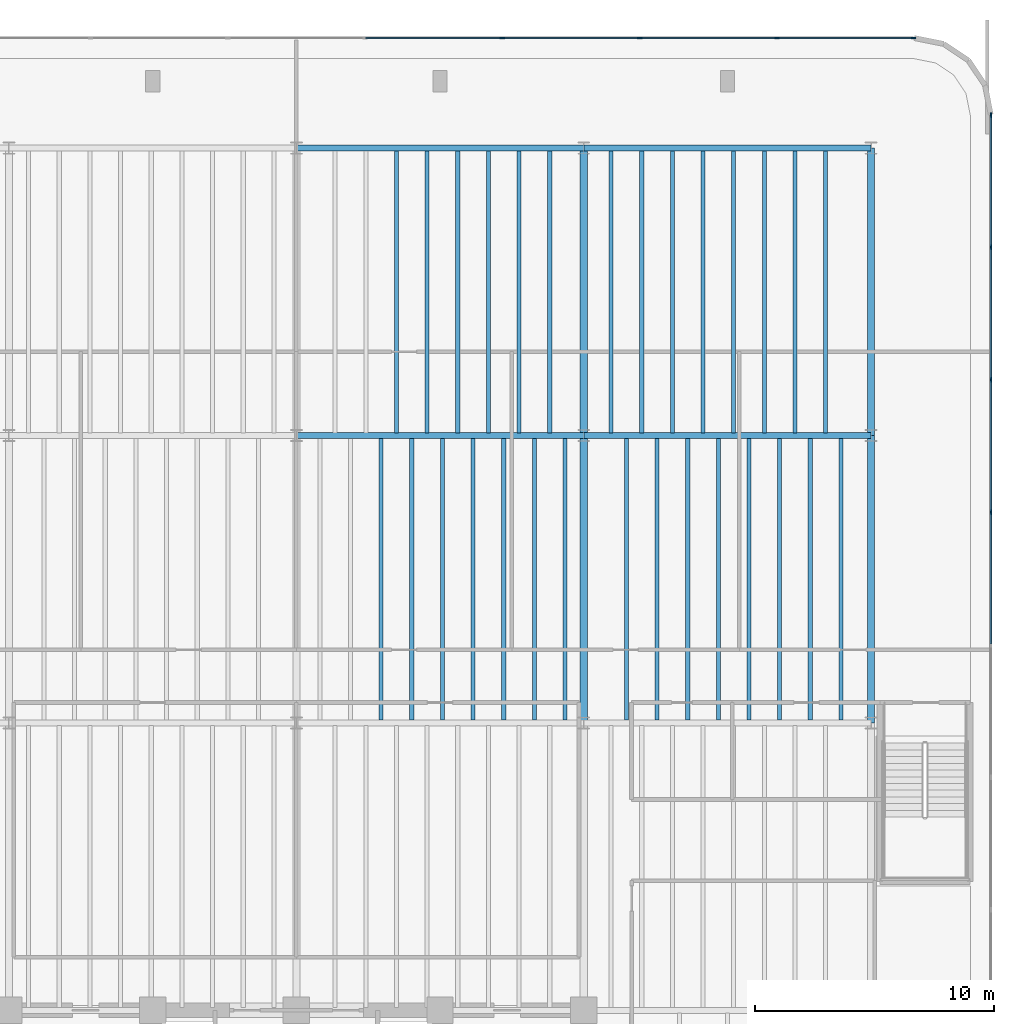
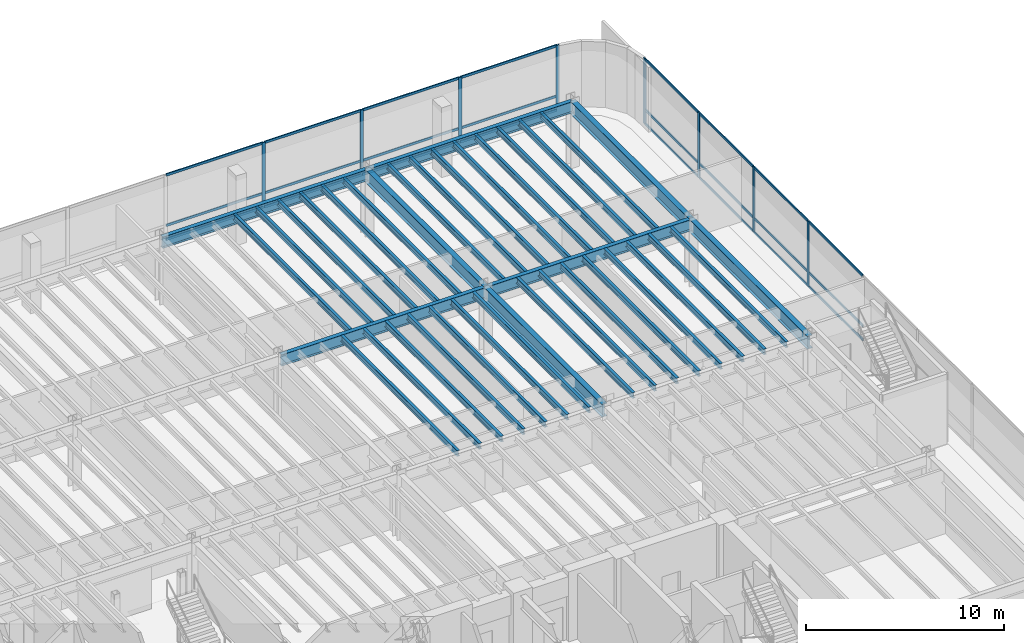
# One storey, part 9 of 18: 37 beams, 32 members, 2 elements without a shape of their own.
"""IFC4 building model written with IfcOpenShell, lengths in metres."""

from ifc_helpers import new_model, si_unit, direction, frame, origin, origin_2d, place, context, subcontext, project, spatial, rectangle, i_section, extrude, source, transform, mapped, material, layer, layer_set, material_profile, profile_set, type_object, element, aggregate, save


model = new_model("IFC4")

# Units and contexts
model_context = context("Model", 3, precision=1e-05, world=origin(), true_north=direction((0.0, 1.0)))
body_context = subcontext(model_context, "Body", "Model", "MODEL_VIEW")
ifc_project = project(units=[si_unit("LENGTHUNIT", "METRE"), si_unit("AREAUNIT", "SQUARE_METRE"), si_unit("VOLUMEUNIT", "CUBIC_METRE"), si_unit("PLANEANGLEUNIT", "RADIAN"), si_unit("MASSUNIT", "GRAM", prefix="KILO")], contexts=[model_context])

# Site, building, storey
site_placement = place(None, origin())
site = spatial("IfcSite", under=ifc_project, at=site_placement, CompositionType="ELEMENT")
building_placement = place(site_placement, origin())
building = spatial("IfcBuilding", under=site, at=building_placement, Name="Brelvock Crest Care Tower", CompositionType="ELEMENT")
storey_placement = place(building_placement, frame((0.0, 0.0, 9.719970703125)))
storey = spatial("IfcBuildingStorey", under=building, at=storey_placement, Name="L02", CompositionType="ELEMENT", Elevation=9.719970703125)

# Beams
ifc_material_1 = material(Name="Steel Grade 350", Category="steel")
ifc_material_profile_1 = material_profile(ifc_material_1, i_section(OverallWidth=0.300048828125, OverallDepth=0.800048828125, WebThickness=0.013916015625, FlangeThickness=0.02197265625, at=origin_2d()), Name="800WB192")
ifc_profile_set_1 = profile_set([ifc_material_profile_1], Name="Steel Grade 350")
beam_type_1 = type_object("IfcBeamType", Name="BM-G5", PredefinedType="BEAM", material=ifc_profile_set_1)
shared_shape_1 = source(origin(), body_context, "Body", "SweptSolid", [
    extrude(i_section(OverallWidth=0.300048828125, OverallDepth=0.800048828125, WebThickness=0.013916015625, FlangeThickness=0.02197265625, at=origin_2d()), origin(), (0.0, 0.0, 1.0), 12.0),
])
for number, where, z_axis, x_axis, name in (
    (1, (48.0, 30.0, 3.64013671875), (0.0, 1.0, 0.0), (-1.0, 0.0, 0.0), "BM-PODY-L02-48-30"),
    (2, (48.0, 42.0, 3.64013671875), (0.0, 1.0, 0.0), (-1.0, 0.0, 0.0), "BM-PODY-L02-48-42"),
    (3, (60.0, 30.0, 3.64013671875), (0.0, 1.0, 0.0), (-1.0, 0.0, 0.0), "BM-PODY-L02-60-30"),
    (4, (60.0, 42.0, 3.64013671875), (0.0, 1.0, 0.0), (-1.0, 0.0, 0.0), "BM-PODY-L02-60-42"),
):
    element("IfcBeam", number, at=place(storey_placement, frame(where, z_axis=z_axis, x_axis=x_axis)), inside=storey, type_object=beam_type_1, Name=name, PredefinedType="BEAM", context=body_context, shape_type="MappedRepresentation", body=[
        mapped(shared_shape_1, transform((0.0, 0.0, 0.0), x_axis=(1.0, 0.0, 0.0), y_axis=(0.0, 1.0, 0.0), z_axis=(0.0, 0.0, 1.0), scale=1.0)),
    ])
ifc_material_profile_2 = material_profile(ifc_material_1, i_section(OverallWidth=0.172119140625, OverallDepth=0.35888671875, WebThickness=0.008056640625, FlangeThickness=0.012939453125, FilletRadius=0.011474609375, at=origin_2d()), Name="360UB56.7")
ifc_profile_set_2 = profile_set([ifc_material_profile_2], Name="Steel Grade 350")
beam_type_2 = type_object("IfcBeamType", Name="BM-J1", PredefinedType="JOIST", material=ifc_profile_set_2)
shared_shape_2 = source(origin(), body_context, "Body", "SweptSolid", [
    extrude(i_section(OverallWidth=0.172119140625, OverallDepth=0.35888671875, WebThickness=0.008056640625, FlangeThickness=0.012939453125, FilletRadius=0.011474609375, at=origin_2d()), origin(), (0.0, 0.0, 1.0), 11.77001953125),
])
for number, where, z_axis, x_axis, name in (
    (5, (39.5400390625, 30.114990234375, 3.860595703125), (0.0, 1.0, 0.0), (-1.0, 0.0, 0.0), "BM-PODJ-L02-3954-30"),
    (6, (40.820068359375, 30.114990234375, 3.860595703125), (0.0, 1.0, 0.0), (-1.0, 0.0, 0.0), "BM-PODJ-L02-4082-30"),
    (7, (40.179931640625, 42.114990234375, 3.860595703125), (0.0, 1.0, 0.0), (-1.0, 0.0, 0.0), "BM-PODJ-L02-4018-42"),
    (8, (42.10009765625, 30.114990234375, 3.860595703125), (0.0, 1.0, 0.0), (-1.0, 0.0, 0.0), "BM-PODJ-L02-4210-30"),
    (9, (41.4599609375, 42.114990234375, 3.860595703125), (0.0, 1.0, 0.0), (-1.0, 0.0, 0.0), "BM-PODJ-L02-4146-42"),
    (10, (43.3798828125, 30.114990234375, 3.860595703125), (0.0, 1.0, 0.0), (-1.0, 0.0, 0.0), "BM-PODJ-L02-4338-30"),
    (11, (42.739990234375, 42.114990234375, 3.860595703125), (0.0, 1.0, 0.0), (-1.0, 0.0, 0.0), "BM-PODJ-L02-4274-42"),
    (12, (44.659912109375, 30.114990234375, 3.860595703125), (0.0, 1.0, 0.0), (-1.0, 0.0, 0.0), "BM-PODJ-L02-4466-30"),
    (13, (44.02001953125, 42.114990234375, 3.860595703125), (0.0, 1.0, 0.0), (-1.0, 0.0, 0.0), "BM-PODJ-L02-4402-42"),
    (14, (45.93994140625, 30.114990234375, 3.860595703125), (0.0, 1.0, 0.0), (-1.0, 0.0, 0.0), "BM-PODJ-L02-4594-30"),
    (15, (45.300048828125, 42.114990234375, 3.860595703125), (0.0, 1.0, 0.0), (-1.0, 0.0, 0.0), "BM-PODJ-L02-4530-42"),
    (16, (47.219970703125, 30.114990234375, 3.860595703125), (0.0, 1.0, 0.0), (-1.0, 0.0, 0.0), "BM-PODJ-L02-4722-30"),
    (17, (46.580078125, 42.114990234375, 3.860595703125), (0.0, 1.0, 0.0), (-1.0, 0.0, 0.0), "BM-PODJ-L02-4658-42"),
    (18, (49.780029296875, 30.114990234375, 3.860595703125), (0.0, 1.0, 0.0), (-1.0, 0.0, 0.0), "BM-PODJ-L02-4978-30"),
    (19, (49.139892578125, 42.114990234375, 3.860595703125), (0.0, 1.0, 0.0), (-1.0, 0.0, 0.0), "BM-PODJ-L02-4914-42"),
    (20, (51.06005859375, 30.114990234375, 3.860595703125), (0.0, 1.0, 0.0), (-1.0, 0.0, 0.0), "BM-PODJ-L02-5106-30"),
    (21, (50.419921875, 42.114990234375, 3.860595703125), (0.0, 1.0, 0.0), (-1.0, 0.0, 0.0), "BM-PODJ-L02-5042-42"),
    (22, (52.340087890625, 30.114990234375, 3.860595703125), (0.0, 1.0, 0.0), (-1.0, 0.0, 0.0), "BM-PODJ-L02-5234-30"),
    (23, (51.699951171875, 42.114990234375, 3.860595703125), (0.0, 1.0, 0.0), (-1.0, 0.0, 0.0), "BM-PODJ-L02-5170-42"),
    (24, (53.6201171875, 30.114990234375, 3.860595703125), (0.0, 1.0, 0.0), (-1.0, 0.0, 0.0), "BM-PODJ-L02-5362-30"),
    (25, (52.97998046875, 42.114990234375, 3.860595703125), (0.0, 1.0, 0.0), (-1.0, 0.0, 0.0), "BM-PODJ-L02-5298-42"),
    (26, (54.89990234375, 30.114990234375, 3.860595703125), (0.0, 1.0, 0.0), (-1.0, 0.0, 0.0), "BM-PODJ-L02-5490-30"),
    (27, (54.260009765625, 42.114990234375, 3.860595703125), (0.0, 1.0, 0.0), (-1.0, 0.0, 0.0), "BM-PODJ-L02-5426-42"),
    (28, (56.179931640625, 30.114990234375, 3.860595703125), (0.0, 1.0, 0.0), (-1.0, 0.0, 0.0), "BM-PODJ-L02-5618-30"),
    (29, (55.5400390625, 42.114990234375, 3.860595703125), (0.0, 1.0, 0.0), (-1.0, 0.0, 0.0), "BM-PODJ-L02-5554-42"),
    (30, (57.4599609375, 30.114990234375, 3.860595703125), (0.0, 1.0, 0.0), (-1.0, 0.0, 0.0), "BM-PODJ-L02-5746-30"),
    (31, (56.820068359375, 42.114990234375, 3.860595703125), (0.0, 1.0, 0.0), (-1.0, 0.0, 0.0), "BM-PODJ-L02-5682-42"),
    (32, (58.739990234375, 30.114990234375, 3.860595703125), (0.0, 1.0, 0.0), (-1.0, 0.0, 0.0), "BM-PODJ-L02-5874-30"),
    (33, (58.10009765625, 42.114990234375, 3.860595703125), (0.0, 1.0, 0.0), (-1.0, 0.0, 0.0), "BM-PODJ-L02-5810-42"),
):
    element("IfcBeam", number, at=place(storey_placement, frame(where, z_axis=z_axis, x_axis=x_axis)), inside=storey, type_object=beam_type_2, Name=name, PredefinedType="JOIST", context=body_context, shape_type="MappedRepresentation", body=[
        mapped(shared_shape_2, transform((0.0, 0.0, 0.0), x_axis=(1.0, 0.0, 0.0), y_axis=(0.0, 1.0, 0.0), z_axis=(0.0, 0.0, 1.0), scale=1.0)),
    ])
ifc_material_profile_3 = material_profile(ifc_material_1, i_section(OverallWidth=0.25, OverallDepth=0.699951171875, WebThickness=0.011962890625, FlangeThickness=0.02001953125, at=origin_2d()), Name="700WB150")
ifc_profile_set_3 = profile_set([ifc_material_profile_3], Name="Steel Grade 350")
beam_type_3 = type_object("IfcBeamType", Name="BM-G4", PredefinedType="BEAM", material=ifc_profile_set_3)
shared_shape_3 = source(origin(), body_context, "Body", "SweptSolid", [
    extrude(i_section(OverallWidth=0.25, OverallDepth=0.699951171875, WebThickness=0.011962890625, FlangeThickness=0.02001953125, at=origin_2d()), origin(), (0.0, 0.0, 1.0), 12.0),
])
for number, where, z_axis, x_axis, name in (
    (34, (36.0, 42.0, 3.68994140625), (1.0, 0.0, 0.0), (0.0, 1.0, 0.0), "BM-PODX-L02-42-36"),
    (35, (48.0, 42.0, 3.68994140625), (1.0, 0.0, 0.0), (0.0, 1.0, 0.0), "BM-PODX-L02-42-48"),
    (36, (36.0, 54.0, 3.68994140625), (1.0, 0.0, 0.0), (0.0, 1.0, 0.0), "BM-PODX-L02-54-36"),
    (37, (48.0, 54.0, 3.68994140625), (1.0, 0.0, 0.0), (0.0, 1.0, 0.0), "BM-PODX-L02-54-48"),
):
    element("IfcBeam", number, at=place(storey_placement, frame(where, z_axis=z_axis, x_axis=x_axis)), inside=storey, type_object=beam_type_3, Name=name, PredefinedType="BEAM", context=body_context, shape_type="MappedRepresentation", body=[
        mapped(shared_shape_3, transform((0.0, 0.0, 0.0), x_axis=(1.0, 0.0, 0.0), y_axis=(0.0, 1.0, 0.0), z_axis=(0.0, 0.0, 1.0), scale=1.0)),
    ])

# Curtain wall, members
ifc_material_2 = material(Name="Dark Glass Double Glazed Low-E", Category="glass")
ifc_layer = layer(ifc_material_2, 0.179931640625, Name="CWS-1")
ifc_layer_set = layer_set([ifc_layer], Name="Dark Glass Double Glazed Low-E")
curtain_wall_type = type_object("IfcCurtainWallType", Name="CWS-1", PredefinedType="NOTDEFINED", material=ifc_layer_set)
curtain_wall_1_placement = place(storey_placement, origin())
curtain_wall_1 = element("IfcCurtainWall", 38, at=curtain_wall_1_placement, inside=storey, type_object=curtain_wall_type, Name="L02 Curtain Wall E09", PredefinedType="NOTDEFINED")
ifc_material_3 = material(Name="Aluminium 6063-T6", Category="aluminium")
ifc_material_profile_4 = material_profile(ifc_material_3, rectangle(XDim=0.06494140625, YDim=0.199951171875, at=origin_2d()), Name="ALU65x200")
ifc_profile_set_4 = profile_set([ifc_material_profile_4], Name="Aluminium 6063-T6")
member_type_1 = type_object("IfcMemberType", Name="CWM-1", PredefinedType="MULLION", material=ifc_profile_set_4)
shared_shape_4 = source(origin(), body_context, "Body", "SweptSolid", [
    extrude(rectangle(XDim=0.06494140625, YDim=0.199951171875, at=origin_2d()), origin(), (0.0, 0.0, 1.0), 4.0400390625),
])
member_1_placement = place(storey_placement, frame((44.60009765625, 58.60009765625, 0.0), z_axis=(0.0, 0.0, 1.0), x_axis=(0.0, 1.0, 0.0)))
member_1 = element("IfcMember", 39, at=member_1_placement, type_object=member_type_1, Name="CW-1 mullion 7", PredefinedType="MULLION", context=body_context, shape_type="MappedRepresentation", body=[
    mapped(shared_shape_4, transform((0.0, 0.0, 0.0), x_axis=(1.0, 0.0, 0.0), y_axis=(0.0, 1.0, 0.0), z_axis=(0.0, 0.0, 1.0), scale=1.0)),
])
member_2_placement = place(storey_placement, frame((50.333251953125, 58.60009765625, 0.0), z_axis=(0.0, 0.0, 1.0), x_axis=(0.0, 1.0, 0.0)))
member_2 = element("IfcMember", 40, at=member_2_placement, type_object=member_type_1, Name="CW-1 mullion 8", PredefinedType="MULLION", context=body_context, shape_type="MappedRepresentation", body=[
    mapped(shared_shape_4, transform((0.0, 0.0, 0.0), x_axis=(1.0, 0.0, 0.0), y_axis=(0.0, 1.0, 0.0), z_axis=(0.0, 0.0, 1.0), scale=1.0)),
])
member_3_placement = place(storey_placement, frame((56.066650390625, 58.60009765625, 0.0), z_axis=(0.0, 0.0, 1.0), x_axis=(0.0, 1.0, 0.0)))
member_3 = element("IfcMember", 41, at=member_3_placement, type_object=member_type_1, Name="CW-1 mullion 9", PredefinedType="MULLION", context=body_context, shape_type="MappedRepresentation", body=[
    mapped(shared_shape_4, transform((0.0, 0.0, 0.0), x_axis=(1.0, 0.0, 0.0), y_axis=(0.0, 1.0, 0.0), z_axis=(0.0, 0.0, 1.0), scale=1.0)),
])
member_4_placement = place(storey_placement, frame((61.767578125, 58.60009765625, 0.0), z_axis=(0.0, 0.0, 1.0), x_axis=(0.0, 1.0, 0.0)))
member_4 = element("IfcMember", 42, at=member_4_placement, type_object=member_type_1, Name="CW-1 mullion 10", PredefinedType="MULLION", context=body_context, shape_type="MappedRepresentation", body=[
    mapped(shared_shape_4, transform((0.0, 0.0, 0.0), x_axis=(1.0, 0.0, 0.0), y_axis=(0.0, 1.0, 0.0), z_axis=(0.0, 0.0, 1.0), scale=1.0)),
])

curtain_wall_2_placement = place(storey_placement, origin())
curtain_wall_2 = element("IfcCurtainWall", 43, at=curtain_wall_2_placement, inside=storey, type_object=curtain_wall_type, Name="L02 Curtain Wall E14", PredefinedType="NOTDEFINED")
member_5_placement = place(storey_placement, frame((65.0, 55.367431640625, 0.0), z_axis=(0.0, 0.0, 1.0), x_axis=(1.0, 0.0, 0.0)))
member_5 = element("IfcMember", 44, at=member_5_placement, type_object=member_type_1, Name="CW-1 mullion 1", PredefinedType="MULLION", context=body_context, shape_type="MappedRepresentation", body=[
    mapped(shared_shape_4, transform((0.0, 0.0, 0.0), x_axis=(1.0, 0.0, 0.0), y_axis=(0.0, 1.0, 0.0), z_axis=(0.0, 0.0, 1.0), scale=1.0)),
])
member_6_placement = place(storey_placement, frame((65.0, 49.86669921875, 0.0), z_axis=(0.0, 0.0, 1.0), x_axis=(1.0, 0.0, 0.0)))
member_6 = element("IfcMember", 45, at=member_6_placement, type_object=member_type_1, Name="CW-1 mullion 2", PredefinedType="MULLION", context=body_context, shape_type="MappedRepresentation", body=[
    mapped(shared_shape_4, transform((0.0, 0.0, 0.0), x_axis=(1.0, 0.0, 0.0), y_axis=(0.0, 1.0, 0.0), z_axis=(0.0, 0.0, 1.0), scale=1.0)),
])
member_7_placement = place(storey_placement, frame((65.0, 44.333251953125, 0.0), z_axis=(0.0, 0.0, 1.0), x_axis=(1.0, 0.0, 0.0)))
member_7 = element("IfcMember", 46, at=member_7_placement, type_object=member_type_1, Name="CW-1 mullion 3", PredefinedType="MULLION", context=body_context, shape_type="MappedRepresentation", body=[
    mapped(shared_shape_4, transform((0.0, 0.0, 0.0), x_axis=(1.0, 0.0, 0.0), y_axis=(0.0, 1.0, 0.0), z_axis=(0.0, 0.0, 1.0), scale=1.0)),
])
member_8_placement = place(storey_placement, frame((65.0, 38.800048828125, 0.0), z_axis=(0.0, 0.0, 1.0), x_axis=(1.0, 0.0, 0.0)))
member_8 = element("IfcMember", 47, at=member_8_placement, type_object=member_type_1, Name="CW-1 mullion 4", PredefinedType="MULLION", context=body_context, shape_type="MappedRepresentation", body=[
    mapped(shared_shape_4, transform((0.0, 0.0, 0.0), x_axis=(1.0, 0.0, 0.0), y_axis=(0.0, 1.0, 0.0), z_axis=(0.0, 0.0, 1.0), scale=1.0)),
])
ifc_material_profile_5 = material_profile(ifc_material_3, rectangle(XDim=0.06494140625, YDim=0.14990234375, at=origin_2d()), Name="ALU65x150")
ifc_profile_set_5 = profile_set([ifc_material_profile_5], Name="Aluminium 6063-T6")
member_type_2 = type_object("IfcMemberType", Name="CWT-1", PredefinedType="USERDEFINED", material=ifc_profile_set_5)
shared_shape_5 = source(origin(), body_context, "Body", "SweptSolid", [
    extrude(rectangle(XDim=0.06494140625, YDim=0.14990234375, at=origin_2d()), origin(), (0.0, 0.0, 1.0), 5.435791015625),
])
member_9_placement = place(storey_placement, frame((65.0, 55.3349609375, 0.032470703125), z_axis=(0.0, -1.0, 0.0), x_axis=(1.0, 0.0, 0.0)))
member_9 = element("IfcMember", 48, at=member_9_placement, type_object=member_type_2, Name="CW-1 transom 1.1", ObjectType="TRANSOM", PredefinedType="USERDEFINED", context=body_context, shape_type="MappedRepresentation", body=[
    mapped(shared_shape_5, transform((0.0, 0.0, 0.0), x_axis=(1.0, 0.0, 0.0), y_axis=(0.0, 1.0, 0.0), z_axis=(0.0, 0.0, 1.0), scale=1.0)),
])
member_10_placement = place(storey_placement, frame((65.0, 55.3349609375, 0.900146484375), z_axis=(0.0, -1.0, 0.0), x_axis=(1.0, 0.0, 0.0)))
member_10 = element("IfcMember", 49, at=member_10_placement, type_object=member_type_2, Name="CW-1 transom 1.2", ObjectType="TRANSOM", PredefinedType="USERDEFINED", context=body_context, shape_type="MappedRepresentation", body=[
    mapped(shared_shape_5, transform((0.0, 0.0, 0.0), x_axis=(1.0, 0.0, 0.0), y_axis=(0.0, 1.0, 0.0), z_axis=(0.0, 0.0, 1.0), scale=1.0)),
])
member_11_placement = place(storey_placement, frame((65.0, 55.3349609375, 4.007568359375), z_axis=(0.0, -1.0, 0.0), x_axis=(1.0, 0.0, 0.0)))
member_11 = element("IfcMember", 50, at=member_11_placement, type_object=member_type_2, Name="CW-1 transom 1.3", ObjectType="TRANSOM", PredefinedType="USERDEFINED", context=body_context, shape_type="MappedRepresentation", body=[
    mapped(shared_shape_5, transform((0.0, 0.0, 0.0), x_axis=(1.0, 0.0, 0.0), y_axis=(0.0, 1.0, 0.0), z_axis=(0.0, 0.0, 1.0), scale=1.0)),
])
shared_shape_6 = source(origin(), body_context, "Body", "SweptSolid", [
    extrude(rectangle(XDim=0.06494140625, YDim=0.14990234375, at=origin_2d()), origin(), (0.0, 0.0, 1.0), 5.468505859375),
])
member_12_placement = place(storey_placement, frame((65.0, 49.834228515625, 0.032470703125), z_axis=(0.0, -1.0, 0.0), x_axis=(1.0, 0.0, 0.0)))
member_12 = element("IfcMember", 51, at=member_12_placement, type_object=member_type_2, Name="CW-1 transom 2.1", ObjectType="TRANSOM", PredefinedType="USERDEFINED", context=body_context, shape_type="MappedRepresentation", body=[
    mapped(shared_shape_6, transform((0.0, 0.0, 0.0), x_axis=(1.0, 0.0, 0.0), y_axis=(0.0, 1.0, 0.0), z_axis=(0.0, 0.0, 1.0), scale=1.0)),
])
member_13_placement = place(storey_placement, frame((65.0, 49.834228515625, 0.900146484375), z_axis=(0.0, -1.0, 0.0), x_axis=(1.0, 0.0, 0.0)))
member_13 = element("IfcMember", 52, at=member_13_placement, type_object=member_type_2, Name="CW-1 transom 2.2", ObjectType="TRANSOM", PredefinedType="USERDEFINED", context=body_context, shape_type="MappedRepresentation", body=[
    mapped(shared_shape_6, transform((0.0, 0.0, 0.0), x_axis=(1.0, 0.0, 0.0), y_axis=(0.0, 1.0, 0.0), z_axis=(0.0, 0.0, 1.0), scale=1.0)),
])
member_14_placement = place(storey_placement, frame((65.0, 49.834228515625, 4.007568359375), z_axis=(0.0, -1.0, 0.0), x_axis=(1.0, 0.0, 0.0)))
member_14 = element("IfcMember", 53, at=member_14_placement, type_object=member_type_2, Name="CW-1 transom 2.3", ObjectType="TRANSOM", PredefinedType="USERDEFINED", context=body_context, shape_type="MappedRepresentation", body=[
    mapped(shared_shape_6, transform((0.0, 0.0, 0.0), x_axis=(1.0, 0.0, 0.0), y_axis=(0.0, 1.0, 0.0), z_axis=(0.0, 0.0, 1.0), scale=1.0)),
])
member_15_placement = place(storey_placement, frame((65.0, 38.767578125, 0.032470703125), z_axis=(0.0, -1.0, 0.0), x_axis=(1.0, 0.0, 0.0)))
member_15 = element("IfcMember", 54, at=member_15_placement, type_object=member_type_2, Name="CW-1 transom 4.1", ObjectType="TRANSOM", PredefinedType="USERDEFINED", context=body_context, shape_type="MappedRepresentation", body=[
    mapped(shared_shape_6, transform((0.0, 0.0, 0.0), x_axis=(1.0, 0.0, 0.0), y_axis=(0.0, 1.0, 0.0), z_axis=(0.0, 0.0, 1.0), scale=1.0)),
])
member_16_placement = place(storey_placement, frame((65.0, 38.767578125, 0.900146484375), z_axis=(0.0, -1.0, 0.0), x_axis=(1.0, 0.0, 0.0)))
member_16 = element("IfcMember", 55, at=member_16_placement, type_object=member_type_2, Name="CW-1 transom 4.2", ObjectType="TRANSOM", PredefinedType="USERDEFINED", context=body_context, shape_type="MappedRepresentation", body=[
    mapped(shared_shape_6, transform((0.0, 0.0, 0.0), x_axis=(1.0, 0.0, 0.0), y_axis=(0.0, 1.0, 0.0), z_axis=(0.0, 0.0, 1.0), scale=1.0)),
])
member_17_placement = place(storey_placement, frame((65.0, 38.767578125, 4.007568359375), z_axis=(0.0, -1.0, 0.0), x_axis=(1.0, 0.0, 0.0)))
member_17 = element("IfcMember", 56, at=member_17_placement, type_object=member_type_2, Name="CW-1 transom 4.3", ObjectType="TRANSOM", PredefinedType="USERDEFINED", context=body_context, shape_type="MappedRepresentation", body=[
    mapped(shared_shape_6, transform((0.0, 0.0, 0.0), x_axis=(1.0, 0.0, 0.0), y_axis=(0.0, 1.0, 0.0), z_axis=(0.0, 0.0, 1.0), scale=1.0)),
])
shared_shape_7 = source(origin(), body_context, "Body", "SweptSolid", [
    extrude(rectangle(XDim=0.06494140625, YDim=0.14990234375, at=origin_2d()), origin(), (0.0, 0.0, 1.0), 5.46826171875),
])
member_18_placement = place(storey_placement, frame((65.0, 44.30078125, 0.032470703125), z_axis=(0.0, -1.0, 0.0), x_axis=(1.0, 0.0, 0.0)))
member_18 = element("IfcMember", 57, at=member_18_placement, type_object=member_type_2, Name="CW-1 transom 3.1", ObjectType="TRANSOM", PredefinedType="USERDEFINED", context=body_context, shape_type="MappedRepresentation", body=[
    mapped(shared_shape_7, transform((0.0, 0.0, 0.0), x_axis=(1.0, 0.0, 0.0), y_axis=(0.0, 1.0, 0.0), z_axis=(0.0, 0.0, 1.0), scale=1.0)),
])
member_19_placement = place(storey_placement, frame((65.0, 44.30078125, 0.900146484375), z_axis=(0.0, -1.0, 0.0), x_axis=(1.0, 0.0, 0.0)))
member_19 = element("IfcMember", 58, at=member_19_placement, type_object=member_type_2, Name="CW-1 transom 3.2", ObjectType="TRANSOM", PredefinedType="USERDEFINED", context=body_context, shape_type="MappedRepresentation", body=[
    mapped(shared_shape_7, transform((0.0, 0.0, 0.0), x_axis=(1.0, 0.0, 0.0), y_axis=(0.0, 1.0, 0.0), z_axis=(0.0, 0.0, 1.0), scale=1.0)),
])
member_20_placement = place(storey_placement, frame((65.0, 44.30078125, 4.007568359375), z_axis=(0.0, -1.0, 0.0), x_axis=(1.0, 0.0, 0.0)))
member_20 = element("IfcMember", 59, at=member_20_placement, type_object=member_type_2, Name="CW-1 transom 3.3", ObjectType="TRANSOM", PredefinedType="USERDEFINED", context=body_context, shape_type="MappedRepresentation", body=[
    mapped(shared_shape_7, transform((0.0, 0.0, 0.0), x_axis=(1.0, 0.0, 0.0), y_axis=(0.0, 1.0, 0.0), z_axis=(0.0, 0.0, 1.0), scale=1.0)),
])
aggregate(curtain_wall_2, [member_5, member_6, member_7, member_8, member_9, member_10, member_11, member_12, member_13, member_14, member_18, member_19, member_20, member_15, member_16, member_17])

# Member
shared_shape_8 = source(origin(), body_context, "Body", "SweptSolid", [
    extrude(rectangle(XDim=0.06494140625, YDim=0.14990234375, at=origin_2d()), origin(), (0.0, 0.0, 1.0), 5.635986328125),
])
member_21_placement = place(storey_placement, frame((56.09912109375, 58.60009765625, 0.032470703125), z_axis=(1.0, 0.0, 0.0), x_axis=(0.0, 1.0, 0.0)))
member_21 = element("IfcMember", 60, at=member_21_placement, type_object=member_type_2, Name="CW-1 transom 9.1", ObjectType="TRANSOM", PredefinedType="USERDEFINED", context=body_context, shape_type="MappedRepresentation", body=[
    mapped(shared_shape_8, transform((0.0, 0.0, 0.0), x_axis=(1.0, 0.0, 0.0), y_axis=(0.0, 1.0, 0.0), z_axis=(0.0, 0.0, 1.0), scale=1.0)),
])

member_22_placement = place(storey_placement, frame((56.09912109375, 58.60009765625, 0.900146484375), z_axis=(1.0, 0.0, 0.0), x_axis=(0.0, 1.0, 0.0)))
member_22 = element("IfcMember", 61, at=member_22_placement, type_object=member_type_2, Name="CW-1 transom 9.2", ObjectType="TRANSOM", PredefinedType="USERDEFINED", context=body_context, shape_type="MappedRepresentation", body=[
    mapped(shared_shape_8, transform((0.0, 0.0, 0.0), x_axis=(1.0, 0.0, 0.0), y_axis=(0.0, 1.0, 0.0), z_axis=(0.0, 0.0, 1.0), scale=1.0)),
])

member_23_placement = place(storey_placement, frame((56.09912109375, 58.60009765625, 4.007568359375), z_axis=(1.0, 0.0, 0.0), x_axis=(0.0, 1.0, 0.0)))
member_23 = element("IfcMember", 62, at=member_23_placement, type_object=member_type_2, Name="CW-1 transom 9.3", ObjectType="TRANSOM", PredefinedType="USERDEFINED", context=body_context, shape_type="MappedRepresentation", body=[
    mapped(shared_shape_8, transform((0.0, 0.0, 0.0), x_axis=(1.0, 0.0, 0.0), y_axis=(0.0, 1.0, 0.0), z_axis=(0.0, 0.0, 1.0), scale=1.0)),
])

shared_shape_9 = source(origin(), body_context, "Body", "SweptSolid", [
    extrude(rectangle(XDim=0.06494140625, YDim=0.14990234375, at=origin_2d()), origin(), (0.0, 0.0, 1.0), 5.66845703125),
])
member_24_placement = place(storey_placement, frame((50.36572265625, 58.60009765625, 0.032470703125), z_axis=(1.0, 0.0, 0.0), x_axis=(0.0, 1.0, 0.0)))
member_24 = element("IfcMember", 63, at=member_24_placement, type_object=member_type_2, Name="CW-1 transom 8.1", ObjectType="TRANSOM", PredefinedType="USERDEFINED", context=body_context, shape_type="MappedRepresentation", body=[
    mapped(shared_shape_9, transform((0.0, 0.0, 0.0), x_axis=(1.0, 0.0, 0.0), y_axis=(0.0, 1.0, 0.0), z_axis=(0.0, 0.0, 1.0), scale=1.0)),
])

member_25_placement = place(storey_placement, frame((50.36572265625, 58.60009765625, 0.900146484375), z_axis=(1.0, 0.0, 0.0), x_axis=(0.0, 1.0, 0.0)))
member_25 = element("IfcMember", 64, at=member_25_placement, type_object=member_type_2, Name="CW-1 transom 8.2", ObjectType="TRANSOM", PredefinedType="USERDEFINED", context=body_context, shape_type="MappedRepresentation", body=[
    mapped(shared_shape_9, transform((0.0, 0.0, 0.0), x_axis=(1.0, 0.0, 0.0), y_axis=(0.0, 1.0, 0.0), z_axis=(0.0, 0.0, 1.0), scale=1.0)),
])

member_26_placement = place(storey_placement, frame((50.36572265625, 58.60009765625, 4.007568359375), z_axis=(1.0, 0.0, 0.0), x_axis=(0.0, 1.0, 0.0)))
member_26 = element("IfcMember", 65, at=member_26_placement, type_object=member_type_2, Name="CW-1 transom 8.3", ObjectType="TRANSOM", PredefinedType="USERDEFINED", context=body_context, shape_type="MappedRepresentation", body=[
    mapped(shared_shape_9, transform((0.0, 0.0, 0.0), x_axis=(1.0, 0.0, 0.0), y_axis=(0.0, 1.0, 0.0), z_axis=(0.0, 0.0, 1.0), scale=1.0)),
])

shared_shape_10 = source(origin(), body_context, "Body", "SweptSolid", [
    extrude(rectangle(XDim=0.06494140625, YDim=0.14990234375, at=origin_2d()), origin(), (0.0, 0.0, 1.0), 5.668212890625),
])
member_27_placement = place(storey_placement, frame((38.899169921875, 58.60009765625, 0.032470703125), z_axis=(1.0, 0.0, 0.0), x_axis=(0.0, 1.0, 0.0)))
member_27 = element("IfcMember", 66, at=member_27_placement, type_object=member_type_2, Name="CW-1 transom 6.1", ObjectType="TRANSOM", PredefinedType="USERDEFINED", context=body_context, shape_type="MappedRepresentation", body=[
    mapped(shared_shape_10, transform((0.0, 0.0, 0.0), x_axis=(1.0, 0.0, 0.0), y_axis=(0.0, 1.0, 0.0), z_axis=(0.0, 0.0, 1.0), scale=1.0)),
])

member_28_placement = place(storey_placement, frame((38.899169921875, 58.60009765625, 0.900146484375), z_axis=(1.0, 0.0, 0.0), x_axis=(0.0, 1.0, 0.0)))
member_28 = element("IfcMember", 67, at=member_28_placement, type_object=member_type_2, Name="CW-1 transom 6.2", ObjectType="TRANSOM", PredefinedType="USERDEFINED", context=body_context, shape_type="MappedRepresentation", body=[
    mapped(shared_shape_10, transform((0.0, 0.0, 0.0), x_axis=(1.0, 0.0, 0.0), y_axis=(0.0, 1.0, 0.0), z_axis=(0.0, 0.0, 1.0), scale=1.0)),
])

member_29_placement = place(storey_placement, frame((38.899169921875, 58.60009765625, 4.007568359375), z_axis=(1.0, 0.0, 0.0), x_axis=(0.0, 1.0, 0.0)))
member_29 = element("IfcMember", 68, at=member_29_placement, type_object=member_type_2, Name="CW-1 transom 6.3", ObjectType="TRANSOM", PredefinedType="USERDEFINED", context=body_context, shape_type="MappedRepresentation", body=[
    mapped(shared_shape_10, transform((0.0, 0.0, 0.0), x_axis=(1.0, 0.0, 0.0), y_axis=(0.0, 1.0, 0.0), z_axis=(0.0, 0.0, 1.0), scale=1.0)),
])

member_30_placement = place(storey_placement, frame((44.632568359375, 58.60009765625, 0.032470703125), z_axis=(1.0, 0.0, 0.0), x_axis=(0.0, 1.0, 0.0)))
member_30 = element("IfcMember", 69, at=member_30_placement, type_object=member_type_2, Name="CW-1 transom 7.1", ObjectType="TRANSOM", PredefinedType="USERDEFINED", context=body_context, shape_type="MappedRepresentation", body=[
    mapped(shared_shape_10, transform((0.0, 0.0, 0.0), x_axis=(1.0, 0.0, 0.0), y_axis=(0.0, 1.0, 0.0), z_axis=(0.0, 0.0, 1.0), scale=1.0)),
])

member_31_placement = place(storey_placement, frame((44.632568359375, 58.60009765625, 0.900146484375), z_axis=(1.0, 0.0, 0.0), x_axis=(0.0, 1.0, 0.0)))
member_31 = element("IfcMember", 70, at=member_31_placement, type_object=member_type_2, Name="CW-1 transom 7.2", ObjectType="TRANSOM", PredefinedType="USERDEFINED", context=body_context, shape_type="MappedRepresentation", body=[
    mapped(shared_shape_10, transform((0.0, 0.0, 0.0), x_axis=(1.0, 0.0, 0.0), y_axis=(0.0, 1.0, 0.0), z_axis=(0.0, 0.0, 1.0), scale=1.0)),
])

member_32_placement = place(storey_placement, frame((44.632568359375, 58.60009765625, 4.007568359375), z_axis=(1.0, 0.0, 0.0), x_axis=(0.0, 1.0, 0.0)))
member_32 = element("IfcMember", 71, at=member_32_placement, type_object=member_type_2, Name="CW-1 transom 7.3", ObjectType="TRANSOM", PredefinedType="USERDEFINED", context=body_context, shape_type="MappedRepresentation", body=[
    mapped(shared_shape_10, transform((0.0, 0.0, 0.0), x_axis=(1.0, 0.0, 0.0), y_axis=(0.0, 1.0, 0.0), z_axis=(0.0, 0.0, 1.0), scale=1.0)),
])

aggregate(curtain_wall_1, [member_1, member_2, member_3, member_4, member_27, member_28, member_29, member_30, member_31, member_32, member_24, member_25, member_26, member_21, member_22, member_23])

save(model, "model.ifc")
